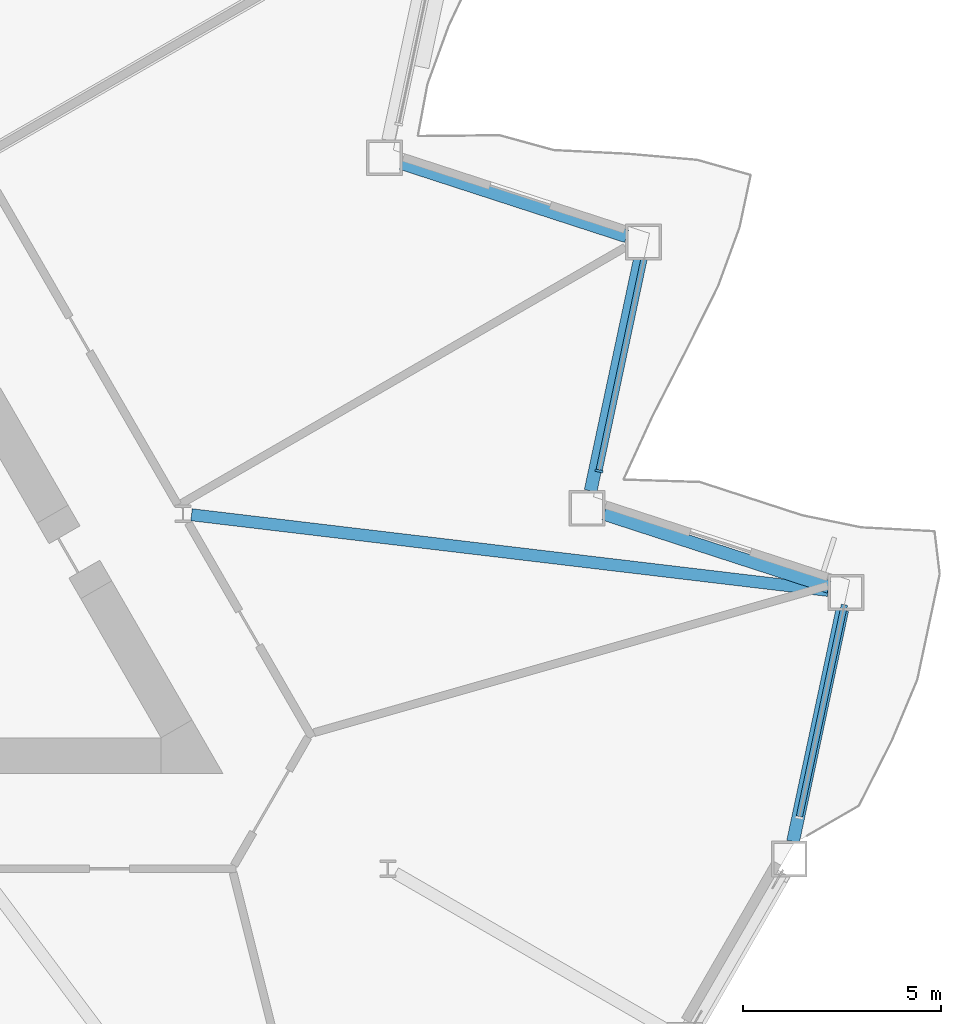
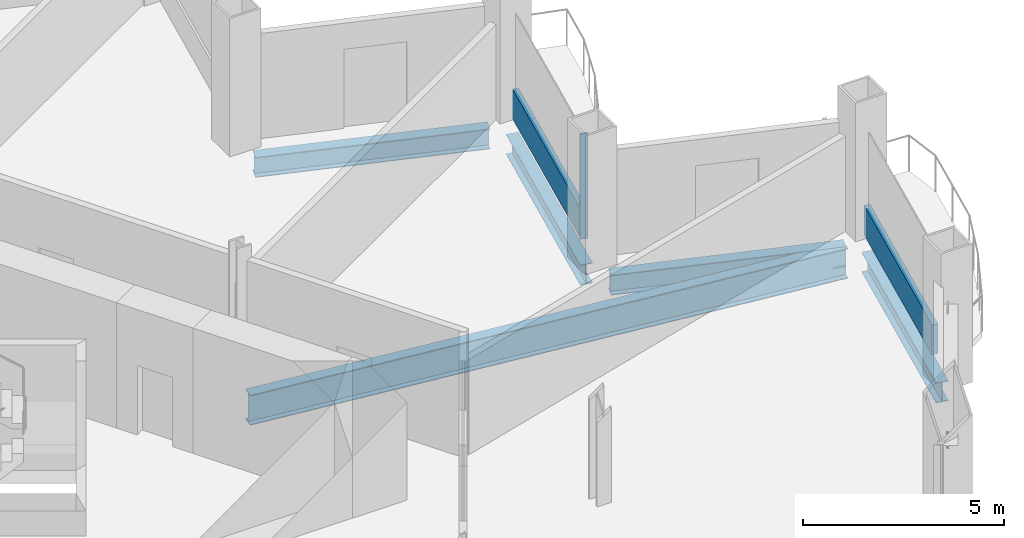
# One storey, part 6 of 21: 5 beams, 3 members, 2 elements without a shape of their own.
"""IFC4 building model written with IfcOpenShell, lengths in metres."""

from ifc_helpers import new_model, si_unit, direction, frame, origin, origin_2d, place, context, subcontext, project, spatial, rectangle, i_section, extrude, material, layer, layer_set, material_profile, profile_set, type_object, element, aggregate, save


model = new_model("IFC4")

# Units and contexts
model_context = context("Model", 3, precision=1e-05, world=origin(), true_north=direction((0.0, 1.0)))
body_context = subcontext(model_context, "Body", "Model", "MODEL_VIEW")
ifc_project = project(units=[si_unit("LENGTHUNIT", "METRE"), si_unit("AREAUNIT", "SQUARE_METRE"), si_unit("VOLUMEUNIT", "CUBIC_METRE"), si_unit("PLANEANGLEUNIT", "RADIAN"), si_unit("MASSUNIT", "GRAM", prefix="KILO")], contexts=[model_context])

# Site, building, storey
site_placement = place(None, origin())
site = spatial("IfcSite", under=ifc_project, at=site_placement, CompositionType="ELEMENT")
building_placement = place(site_placement, origin())
building = spatial("IfcBuilding", under=site, at=building_placement, Name="Cormorant Prow Tower", CompositionType="ELEMENT")
storey_placement = place(building_placement, frame((0.0, 0.0, 124.800048828125)))
storey = spatial("IfcBuildingStorey", under=building, at=storey_placement, Name="L26", CompositionType="ELEMENT", Elevation=124.800048828125)

# Curtain wall, member
ifc_material_1 = material(Name="Aluminium 6063-T6", Category="aluminium")
ifc_layer = layer(ifc_material_1, 0.199951171875)
ifc_layer_set = layer_set([ifc_layer], Name="Aluminium 6063-T6")
curtain_wall_type = type_object("IfcCurtainWallType", Name="Office unitised curtain wall 200", PredefinedType="NOTDEFINED", material=ifc_layer_set)
curtain_wall_1_placement = place(storey_placement, origin())
curtain_wall_1 = element("IfcCurtainWall", 1, at=curtain_wall_1_placement, inside=storey, type_object=curtain_wall_type, Name="Office curtain wall ENE02", PredefinedType="NOTDEFINED")
ifc_material_2 = material(Name="Aluminium 6063-T6", Category="aluminium")
ifc_material_profile_1 = material_profile(ifc_material_2, rectangle(XDim=0.199951171875, YDim=0.06005859375, at=origin_2d()), Name="Office mullion 60x200")
ifc_profile_set_1 = profile_set([ifc_material_profile_1], Name="Aluminium 6063-T6")
member_type_1 = type_object("IfcMemberType", Name="Office mullion 60x200", PredefinedType="MULLION", material=ifc_profile_set_1)
member_1_placement = place(storey_placement, frame((25.97314453125, -1.90380859375, 0.0), z_axis=(0.0, 0.0, 1.0), x_axis=(-0.978147605839, 0.207911666798, 0.0)))
member_1 = element("IfcMember", 2, at=member_1_placement, type_object=member_type_1, Name="Office mullion ENE02", PredefinedType="MULLION", context=body_context, shape_type="SweptSolid", body=[
    extrude(rectangle(XDim=0.199951171875, YDim=0.06005859375, at=origin_2d()), origin(), (0.0, 0.0, 1.0), 3.18896484375),
])

curtain_wall_2_placement = place(storey_placement, origin())
curtain_wall_2 = element("IfcCurtainWall", 3, at=curtain_wall_2_placement, inside=storey, type_object=curtain_wall_type, Name="Office curtain wall ENE00", PredefinedType="NOTDEFINED")
ifc_material_3 = material(Name="Terracotta", Category="masonry")
ifc_material_profile_2 = material_profile(ifc_material_3, rectangle(XDim=0.159912109375, YDim=0.89990234375, at=origin_2d()), Name="Office terracotta spandrel rail 160x900")
ifc_profile_set_2 = profile_set([ifc_material_profile_2], Name="Terracotta")
member_type_2 = type_object("IfcMemberType", Name="Office terracotta spandrel rail 160x900", PredefinedType="USERDEFINED", material=ifc_profile_set_2)
member_2_placement = place(storey_placement, frame((31.022705078125, -10.60986328125, 0.449951171875), z_axis=(0.207945473965, 0.978140419294, 0.0), x_axis=(-0.978140419294, 0.207945473965, 0.0)))
member_2 = element("IfcMember", 4, at=member_2_placement, type_object=member_type_2, Name="Office spandrel rail ENE00", ObjectType="TRANSOM", PredefinedType="USERDEFINED", context=body_context, shape_type="SweptSolid", body=[
    extrude(rectangle(XDim=0.159912109375, YDim=0.89990234375, at=origin_2d()), origin(), (0.0, 0.0, 1.0), 5.45458984375),
])
aggregate(curtain_wall_2, [member_2])

# Member
member_3_placement = place(storey_placement, frame((25.9794921875, -1.874267578125, 0.449951171875), z_axis=(0.20791175325, 0.978147587463, 0.0), x_axis=(-0.978147587463, 0.20791175325, 0.0)))
member_3 = element("IfcMember", 5, at=member_3_placement, type_object=member_type_2, Name="Office spandrel rail ENE02", ObjectType="TRANSOM", PredefinedType="USERDEFINED", context=body_context, shape_type="SweptSolid", body=[
    extrude(rectangle(XDim=0.159912109375, YDim=0.89990234375, at=origin_2d()), origin(), (0.0, 0.0, 1.0), 5.454345703125),
])

aggregate(curtain_wall_1, [member_1, member_3])

# Beams
ifc_material_4 = material(Name="Structural steel ASTM A992 Gr 50", Category="steel")
ifc_material_profile_3 = material_profile(ifc_material_4, i_section(OverallWidth=0.3046875, OverallDepth=0.914794921875, WebThickness=0.0166015625, FlangeThickness=0.02587890625, at=origin_2d()), Name="W36x160")
ifc_profile_set_3 = profile_set([ifc_material_profile_3], Name="Structural steel ASTM A992 Gr 50")
beam_type_1 = type_object("IfcBeamType", Name="Radial floor beam W36x160", PredefinedType="BEAM", material=ifc_profile_set_3)
beam_1_placement = place(storey_placement, frame((15.70849609375, -3.00732421875, -0.857421875), z_axis=(0.993009167646, -0.118037252474, 0.0), x_axis=(0.118037252474, 0.993009167646, 0.0)))
element("IfcBeam", 6, at=beam_1_placement, inside=storey, type_object=beam_type_1, Name="Radial floor beam FB1 10 L26", PredefinedType="BEAM", context=body_context, shape_type="SweptSolid", body=[
    extrude(i_section(OverallWidth=0.3046875, OverallDepth=0.914794921875, WebThickness=0.0166015625, FlangeThickness=0.02587890625, at=origin_2d()), origin(), (0.0, 0.0, 1.0), 16.15380859375),
])
ifc_material_5 = material(Name="Structural steel ASTM A992 Gr 50", Category="steel")
ifc_material_profile_4 = material_profile(ifc_material_5, i_section(OverallWidth=0.32373046875, OverallDepth=0.611083984375, WebThickness=0.0126953125, FlangeThickness=0.01904296875, at=origin_2d()), Name="W24x104")
ifc_profile_set_4 = profile_set([ifc_material_profile_4], Name="Structural steel ASTM A992 Gr 50")
beam_type_2 = type_object("IfcBeamType", Name="Spandrel beam W24x104", PredefinedType="SPANDREL", material=ifc_profile_set_4)
beam_2_placement = place(storey_placement, frame((30.86279296875, -11.23974609375, -0.70556640625), z_axis=(0.207912620873, 0.978147403044, 0.0), x_axis=(-0.978147403044, 0.207912620873, 0.0)))
element("IfcBeam", 7, at=beam_2_placement, inside=storey, type_object=beam_type_2, Name="Spandrel beam SB1 ENE00-ENE01 L26", PredefinedType="SPANDREL", context=body_context, shape_type="SweptSolid", body=[
    extrude(i_section(OverallWidth=0.32373046875, OverallDepth=0.611083984375, WebThickness=0.0126953125, FlangeThickness=0.01904296875, at=origin_2d()), origin(), (0.0, 0.0, 1.0), 5.962890625),
])
for number, where, z_axis, x_axis, name in (
    (8, (31.768310546875, -4.828125, -0.70556640625), (-0.951059340519, 0.309008302174, 0.0), (-0.309008302174, -0.951059340519, 0.0), "Spandrel beam SB1 ENE01-ENE02 L26"),
    (9, (25.762939453125, -2.40625, -0.70556640625), (0.207920947907, 0.978145633033, 0.0), (-0.978145633033, 0.207920947907, 0.0), "Spandrel beam SB1 ENE02-ENE03 L26"),
):
    element("IfcBeam", number, at=place(storey_placement, frame(where, z_axis=z_axis, x_axis=x_axis)), inside=storey, type_object=beam_type_2, Name=name, PredefinedType="SPANDREL", context=body_context, shape_type="SweptSolid", body=[
        extrude(i_section(OverallWidth=0.32373046875, OverallDepth=0.611083984375, WebThickness=0.0126953125, FlangeThickness=0.01904296875, at=origin_2d()), origin(), (0.0, 0.0, 1.0), 5.962646484375),
    ])
beam_3_placement = place(storey_placement, frame((26.668212890625, 4.00537109375, -0.70556640625), z_axis=(-0.951055430656, 0.309020335608, 0.0), x_axis=(-0.309020335608, -0.951055430656, 0.0)))
element("IfcBeam", 10, at=beam_3_placement, inside=storey, type_object=beam_type_2, Name="Spandrel beam SB1 ENE03-ENE04 L26", PredefinedType="SPANDREL", context=body_context, shape_type="SweptSolid", body=[
    extrude(i_section(OverallWidth=0.32373046875, OverallDepth=0.611083984375, WebThickness=0.0126953125, FlangeThickness=0.01904296875, at=origin_2d()), origin(), (0.0, 0.0, 1.0), 5.96240234375),
])

save(model, "model.ifc")
